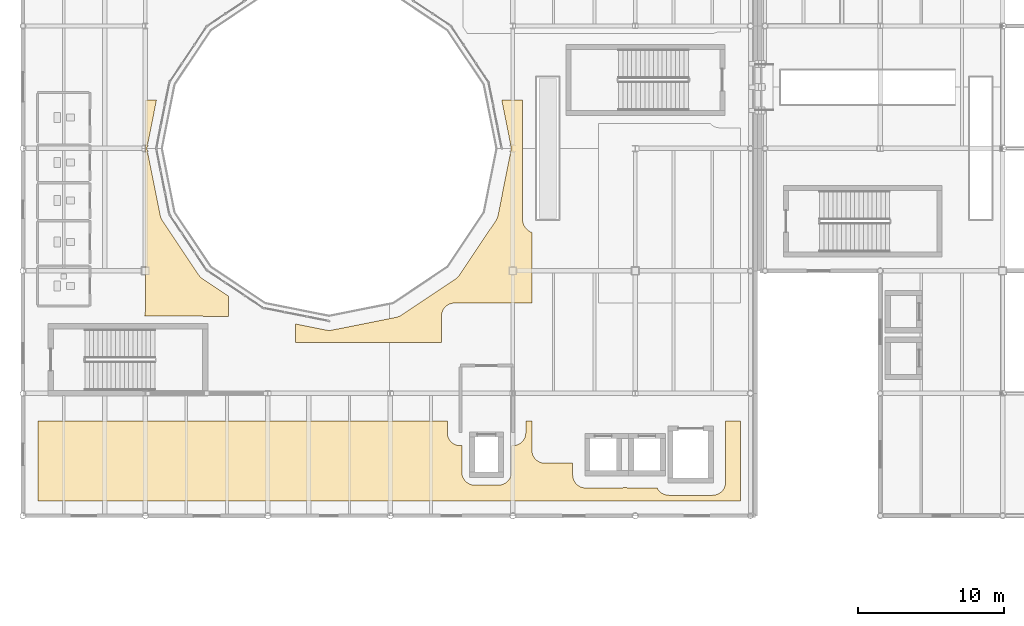
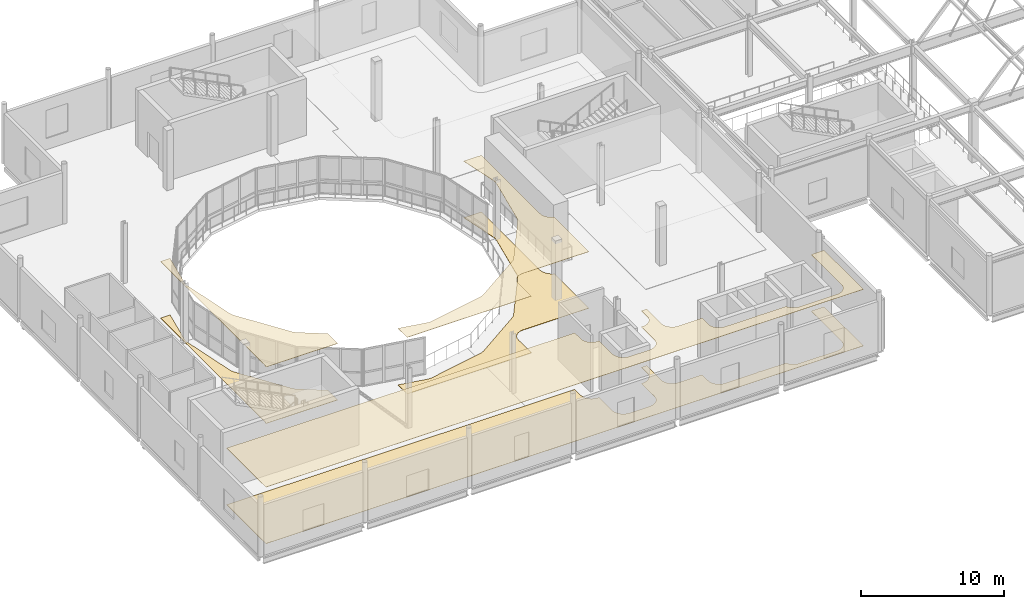
# One storey, part 87 of 103: 6 coverings.
"""IFC4 building model written with IfcOpenShell, lengths in metres."""

from ifc_helpers import new_model, si_unit, direction, frame, origin, place, context, subcontext, project, spatial, polyline, outline, extrude, material, layer, layer_set, type_object, element, save


model = new_model("IFC4")

# Units and contexts
model_context = context("Model", 3, precision=1e-05, world=origin(), true_north=direction((0.0, 1.0)))
body_context = subcontext(model_context, "Body", "Model", "MODEL_VIEW")
ifc_project = project(units=[si_unit("LENGTHUNIT", "METRE"), si_unit("AREAUNIT", "SQUARE_METRE"), si_unit("VOLUMEUNIT", "CUBIC_METRE"), si_unit("PLANEANGLEUNIT", "RADIAN"), si_unit("MASSUNIT", "GRAM", prefix="KILO"), si_unit("THERMODYNAMICTEMPERATUREUNIT", "KELVIN")], contexts=[model_context])

# Site, building, storey
site_placement = place(None, origin())
site = spatial("IfcSite", under=ifc_project, at=site_placement, CompositionType="ELEMENT")
building_placement = place(site_placement, origin())
building = spatial("IfcBuilding", under=site, at=building_placement, Name="Lustrewick Department Store", CompositionType="ELEMENT")
storey_placement = place(building_placement, frame((0.0, 0.0, 16.5)))
storey = spatial("IfcBuildingStorey", under=building, at=storey_placement, Name="L04", CompositionType="ELEMENT", Elevation=16.5)

# Coverings
ifc_material_1 = material(Name="Perforated mineral-fibre acoustic ceiling board", Category="gypsum")
ifc_layer_1 = layer(ifc_material_1, 0.02490234375, Name="Perforated mineral-fibre acoustic ceiling board")
ifc_layer_set_1 = layer_set([ifc_layer_1], Name="Perforated mineral-fibre acoustic ceiling board")
covering_type_1 = type_object("IfcCoveringType", Name="COV-CEIL", PredefinedType="CEILING", material=ifc_layer_set_1)
covering_1_placement = place(storey_placement, frame((0.0, 0.0, 4.820068359375)))
element("IfcCovering", 1, at=covering_1_placement, inside=storey, type_object=covering_type_1, Name="L04 V1 Retail Merchandise Gallery 1 Acoustic Ceiling", PredefinedType="CEILING", context=body_context, shape_type="SweptSolid", body=[
    extrude(outline(polyline([(9.419921875, 48.510009765625), (9.419921875, 43.02001953125), (57.6298828125, 43.02001953125), (57.6298828125, 48.510009765625), (56.590087890625, 48.510009765625), (56.590087890625, 44.297119140625), (56.585693359375, 44.21240234375), (56.5732421875, 44.12841796875), (56.572509765625, 44.125), (56.56884765625, 44.107421875), (56.568115234375, 44.104248046875), (56.54541015625, 44.021484375), (56.5146484375, 43.94140625), (56.513427734375, 43.938720703125), (56.51220703125, 43.936279296875), (56.47900390625, 43.869384765625), (56.476806640625, 43.865478515625), (56.439208984375, 43.80419921875), (56.396484375, 43.74609375), (56.392822265625, 43.741455078125), (56.329345703125, 43.670654296875), (56.258544921875, 43.607177734375), (56.25390625, 43.603515625), (56.19580078125, 43.560791015625), (56.134521484375, 43.523193359375), (56.130615234375, 43.52099609375), (56.063720703125, 43.48779296875), (56.061279296875, 43.486572265625), (56.05859375, 43.4853515625), (55.978515625, 43.45458984375), (55.895751953125, 43.431884765625), (55.892578125, 43.43115234375), (55.875, 43.427490234375), (55.87158203125, 43.4267578125), (55.78759765625, 43.414306640625), (55.702880859375, 43.409912109375), (52.697021484375, 43.409912109375), (52.6123046875, 43.414306640625), (52.5283203125, 43.4267578125), (52.52490234375, 43.427490234375), (52.507568359375, 43.43115234375), (52.50439453125, 43.431884765625), (52.42138671875, 43.45458984375), (52.341552734375, 43.4853515625), (52.3388671875, 43.486572265625), (52.336181640625, 43.48779296875), (52.26953125, 43.52099609375), (52.265625, 43.523193359375), (52.2041015625, 43.560791015625), (52.14599609375, 43.603515625), (52.141357421875, 43.607177734375), (52.070556640625, 43.670654296875), (52.007080078125, 43.741455078125), (52.00341796875, 43.74609375), (51.9609375, 43.80419921875), (51.92333984375, 43.865478515625), (51.921142578125, 43.869384765625), (51.90087890625, 43.909912109375), (49.9970703125, 43.909912109375), (49.912353515625, 43.914306640625), (49.828369140625, 43.9267578125), (49.824951171875, 43.927490234375), (49.8076171875, 43.93115234375), (49.80419921875, 43.931884765625), (49.721435546875, 43.95458984375), (49.699951171875, 43.962890625), (49.678466796875, 43.95458984375), (49.595703125, 43.931884765625), (49.592529296875, 43.93115234375), (49.574951171875, 43.927490234375), (49.571533203125, 43.9267578125), (49.48779296875, 43.914306640625), (49.403076171875, 43.909912109375), (46.9970703125, 43.909912109375), (46.912353515625, 43.914306640625), (46.828369140625, 43.9267578125), (46.824951171875, 43.927490234375), (46.8076171875, 43.93115234375), (46.80419921875, 43.931884765625), (46.721435546875, 43.95458984375), (46.6416015625, 43.9853515625), (46.638916015625, 43.986572265625), (46.63623046875, 43.98779296875), (46.569580078125, 44.02099609375), (46.565673828125, 44.023193359375), (46.504150390625, 44.060791015625), (46.446044921875, 44.103515625), (46.44140625, 44.107177734375), (46.37060546875, 44.170654296875), (46.30712890625, 44.241455078125), (46.303466796875, 44.24609375), (46.260986328125, 44.30419921875), (46.223388671875, 44.365478515625), (46.22119140625, 44.369384765625), (46.187744140625, 44.436279296875), (46.185302734375, 44.44140625), (46.154541015625, 44.521484375), (46.1318359375, 44.604248046875), (46.131103515625, 44.607421875), (46.12744140625, 44.625), (46.126708984375, 44.62841796875), (46.1142578125, 44.71240234375), (46.110107421875, 44.797119140625), (46.110107421875, 45.610107421875), (44.197021484375, 45.610107421875), (44.1123046875, 45.6142578125), (44.0283203125, 45.626708984375), (44.02490234375, 45.62744140625), (44.007568359375, 45.631103515625), (44.00439453125, 45.6318359375), (43.92138671875, 45.654541015625), (43.841552734375, 45.685302734375), (43.8388671875, 45.6865234375), (43.836181640625, 45.687744140625), (43.76953125, 45.72119140625), (43.765625, 45.723388671875), (43.7041015625, 45.760986328125), (43.64599609375, 45.803466796875), (43.641357421875, 45.80712890625), (43.570556640625, 45.87060546875), (43.507080078125, 45.94140625), (43.50341796875, 45.946044921875), (43.4609375, 46.004150390625), (43.42333984375, 46.065673828125), (43.421142578125, 46.069580078125), (43.3876953125, 46.13623046875), (43.385498046875, 46.1416015625), (43.3544921875, 46.221435546875), (43.331787109375, 46.30419921875), (43.3310546875, 46.3076171875), (43.327392578125, 46.324951171875), (43.32666015625, 46.328369140625), (43.314208984375, 46.412353515625), (43.31005859375, 46.4970703125), (43.31005859375, 48.510009765625), (42.889892578125, 48.510009765625), (42.889892578125, 47.697021484375), (42.8857421875, 47.6123046875), (42.873291015625, 47.5283203125), (42.87255859375, 47.52490234375), (42.868896484375, 47.507568359375), (42.8681640625, 47.50439453125), (42.845458984375, 47.42138671875), (42.814697265625, 47.341552734375), (42.8134765625, 47.3388671875), (42.812255859375, 47.336181640625), (42.77880859375, 47.26953125), (42.776611328125, 47.265625), (42.739013671875, 47.2041015625), (42.696533203125, 47.14599609375), (42.69287109375, 47.141357421875), (42.62939453125, 47.070556640625), (42.55859375, 47.007080078125), (42.553955078125, 47.00341796875), (42.495849609375, 46.9609375), (42.434326171875, 46.92333984375), (42.430419921875, 46.921142578125), (42.36376953125, 46.8876953125), (42.3583984375, 46.885498046875), (42.278564453125, 46.8544921875), (42.19580078125, 46.831787109375), (42.1923828125, 46.8310546875), (42.175048828125, 46.827392578125), (42.171630859375, 46.82666015625), (42.087646484375, 46.814208984375), (42.0029296875, 46.81005859375), (41.89990234375, 46.81005859375), (41.89990234375, 44.9990234375), (41.89892578125, 44.95703125), (41.898681640625, 44.951904296875), (41.889404296875, 44.86279296875), (41.888427734375, 44.85693359375), (41.87109375, 44.774169921875), (41.869873046875, 44.769287109375), (41.8583984375, 44.72998046875), (41.857177734375, 44.7255859375), (41.830322265625, 44.652587890625), (41.797119140625, 44.582275390625), (41.794921875, 44.578125), (41.776611328125, 44.545166015625), (41.7744140625, 44.54150390625), (41.74267578125, 44.491455078125), (41.739501953125, 44.4873046875), (41.692138671875, 44.424560546875), (41.638916015625, 44.3662109375), (41.6337890625, 44.361083984375), (41.575439453125, 44.307861328125), (41.5126953125, 44.260498046875), (41.508544921875, 44.25732421875), (41.45849609375, 44.2255859375), (41.454833984375, 44.223388671875), (41.421875, 44.205078125), (41.417724609375, 44.202880859375), (41.347412109375, 44.169677734375), (41.2744140625, 44.142822265625), (41.27001953125, 44.1416015625), (41.230712890625, 44.130126953125), (41.225830078125, 44.12890625), (41.14306640625, 44.111572265625), (41.13720703125, 44.110595703125), (41.048095703125, 44.101318359375), (41.04296875, 44.10107421875), (41.0009765625, 44.10009765625), (39.39892578125, 44.10009765625), (39.357177734375, 44.10107421875), (39.351806640625, 44.101318359375), (39.262939453125, 44.110595703125), (39.2568359375, 44.111572265625), (39.174072265625, 44.12890625), (39.169189453125, 44.130126953125), (39.130126953125, 44.1416015625), (39.12548828125, 44.142822265625), (39.052490234375, 44.169677734375), (38.982177734375, 44.202880859375), (38.97802734375, 44.205078125), (38.9453125, 44.223388671875), (38.94140625, 44.2255859375), (38.8916015625, 44.25732421875), (38.88720703125, 44.260498046875), (38.824462890625, 44.307861328125), (38.766357421875, 44.361083984375), (38.760986328125, 44.3662109375), (38.7080078125, 44.424560546875), (38.660400390625, 44.4873046875), (38.657470703125, 44.491455078125), (38.62548828125, 44.54150390625), (38.623291015625, 44.545166015625), (38.60498046875, 44.578125), (38.602783203125, 44.582275390625), (38.569580078125, 44.652587890625), (38.54296875, 44.7255859375), (38.54150390625, 44.72998046875), (38.530029296875, 44.769287109375), (38.52880859375, 44.774169921875), (38.511474609375, 44.85693359375), (38.510498046875, 44.86279296875), (38.501220703125, 44.951904296875), (38.5009765625, 44.95703125), (38.5, 44.9990234375), (38.5, 46.81005859375), (38.39697265625, 46.81005859375), (38.312255859375, 46.814208984375), (38.228515625, 46.82666015625), (38.22509765625, 46.827392578125), (38.20751953125, 46.8310546875), (38.204345703125, 46.831787109375), (38.12158203125, 46.8544921875), (38.04150390625, 46.885498046875), (38.036376953125, 46.8876953125), (37.969482421875, 46.921142578125), (37.965576171875, 46.92333984375), (37.904052734375, 46.9609375), (37.845947265625, 47.00341796875), (37.84130859375, 47.007080078125), (37.7705078125, 47.070556640625), (37.70703125, 47.141357421875), (37.70361328125, 47.14599609375), (37.660888671875, 47.2041015625), (37.623291015625, 47.265625), (37.62109375, 47.26953125), (37.587890625, 47.336181640625), (37.586669921875, 47.3388671875), (37.58544921875, 47.341552734375), (37.554443359375, 47.42138671875), (37.53173828125, 47.50439453125), (37.531005859375, 47.507568359375), (37.52734375, 47.52490234375), (37.526611328125, 47.5283203125), (37.51416015625, 47.6123046875), (37.510009765625, 47.697021484375), (37.510009765625, 48.510009765625), (9.419921875, 48.510009765625)])), origin(), (0.0, 0.0, 1.0), 0.02490234375),
])
covering_2_placement = place(storey_placement, frame((0.0, 0.0, 4.820068359375)))
element("IfcCovering", 2, at=covering_2_placement, inside=storey, type_object=covering_type_1, Name="L04 V1 Retail Merchandise Gallery 3 Acoustic Ceiling", PredefinedType="CEILING", context=body_context, shape_type="SweptSolid", body=[
    extrude(outline(polyline([(40.9912109375, 62.625732421875), (40.982177734375, 62.5849609375), (40.9765625, 62.56298828125), (40.95263671875, 62.48388671875), (40.944580078125, 62.4619140625), (40.913818359375, 62.38720703125), (40.903564453125, 62.36572265625), (40.86376953125, 62.29150390625), (40.852294921875, 62.272216796875), (40.830810546875, 62.23828125), (38.3583984375, 58.5380859375), (38.335205078125, 58.5048828125), (38.321533203125, 58.48681640625), (38.267578125, 58.421142578125), (38.251953125, 58.40380859375), (38.1962890625, 58.34814453125), (38.1787109375, 58.332275390625), (38.11328125, 58.2783203125), (38.094970703125, 58.264892578125), (38.061767578125, 58.241455078125), (34.36181640625, 55.769287109375), (34.327880859375, 55.747802734375), (34.30859375, 55.736083984375), (34.234375, 55.6962890625), (34.212890625, 55.686279296875), (34.137939453125, 55.6552734375), (34.115966796875, 55.6474609375), (34.037109375, 55.623291015625), (34.01513671875, 55.617919921875), (33.974365234375, 55.608642578125), (29.609619140625, 54.740478515625), (29.56591796875, 54.73291015625), (29.54345703125, 54.729736328125), (29.46630859375, 54.72216796875), (29.44287109375, 54.720947265625), (29.357177734375, 54.720947265625), (29.333740234375, 54.72216796875), (29.256591796875, 54.729736328125), (29.234130859375, 54.73291015625), (29.1904296875, 54.740478515625), (27.090087890625, 55.158203125), (27.090087890625, 53.889892578125), (37.110107421875, 53.889892578125), (37.110107421875, 55.702880859375), (37.1142578125, 55.78759765625), (37.126708984375, 55.87158203125), (37.12744140625, 55.875), (37.131103515625, 55.892578125), (37.1318359375, 55.895751953125), (37.154541015625, 55.978515625), (37.185302734375, 56.05859375), (37.187744140625, 56.063720703125), (37.22119140625, 56.130615234375), (37.223388671875, 56.134521484375), (37.260986328125, 56.19580078125), (37.303466796875, 56.25390625), (37.30712890625, 56.258544921875), (37.37060546875, 56.329345703125), (37.44140625, 56.392822265625), (37.446044921875, 56.396484375), (37.504150390625, 56.439208984375), (37.565673828125, 56.476806640625), (37.569580078125, 56.47900390625), (37.63623046875, 56.51220703125), (37.638916015625, 56.513427734375), (37.6416015625, 56.5146484375), (37.721435546875, 56.54541015625), (37.80419921875, 56.568115234375), (37.8076171875, 56.56884765625), (37.824951171875, 56.572509765625), (37.828369140625, 56.5732421875), (37.912353515625, 56.585693359375), (37.9970703125, 56.590087890625), (42.403076171875, 56.590087890625), (42.48779296875, 56.585693359375), (42.526611328125, 56.580078125), (43.31005859375, 56.580078125), (43.31005859375, 61.43115234375), (43.234619140625, 61.46240234375), (43.22216796875, 61.468505859375), (43.15185546875, 61.506103515625), (43.139892578125, 61.51318359375), (43.07080078125, 61.5595703125), (43.06005859375, 61.567626953125), (42.997802734375, 61.61865234375), (42.987548828125, 61.6279296875), (42.927978515625, 61.6875), (42.918701171875, 61.697998046875), (42.86767578125, 61.760009765625), (42.859619140625, 61.77099609375), (42.813232421875, 61.83984375), (42.80615234375, 61.851806640625), (42.768310546875, 61.922119140625), (42.762451171875, 61.9345703125), (42.72900390625, 62.015380859375), (42.724365234375, 62.028564453125), (42.70166015625, 62.103515625), (42.6982421875, 62.116943359375), (42.68115234375, 62.20263671875), (42.67919921875, 62.21630859375), (42.671630859375, 62.29345703125), (42.671142578125, 62.30615234375), (42.669921875, 62.34912109375), (42.669921875, 70.510009765625), (41.242919921875, 70.510009765625), (41.859619140625, 67.40966796875), (41.866943359375, 67.36572265625), (41.8701171875, 67.343505859375), (41.877685546875, 67.266357421875), (41.87890625, 67.242919921875), (41.87890625, 67.1572265625), (41.877685546875, 67.1337890625), (41.8701171875, 67.056396484375), (41.866943359375, 67.0341796875), (41.859619140625, 66.990478515625), (40.9912109375, 62.625732421875)])), origin(), (0.0, 0.0, 1.0), 0.02490234375),
])
covering_3_placement = place(storey_placement, frame((0.0, 0.0, 4.820068359375)))
element("IfcCovering", 3, at=covering_3_placement, inside=storey, type_object=covering_type_1, Name="L04 V1 Retail Merchandise Gallery 4 Acoustic Ceiling", PredefinedType="CEILING", context=body_context, shape_type="SweptSolid", body=[
    extrude(outline(polyline([(20.702880859375, 55.68994140625), (20.78759765625, 55.685791015625), (20.82666015625, 55.679931640625), (22.510009765625, 55.679931640625), (22.510009765625, 57.0576171875), (20.73828125, 58.241455078125), (20.705078125, 58.264892578125), (20.686767578125, 58.2783203125), (20.62109375, 58.332275390625), (20.603759765625, 58.34814453125), (20.548095703125, 58.40380859375), (20.5322265625, 58.421142578125), (20.478515625, 58.48681640625), (20.46484375, 58.5048828125), (20.44140625, 58.5380859375), (17.96923828125, 62.23828125), (17.94775390625, 62.272216796875), (17.936279296875, 62.29150390625), (17.896484375, 62.36572265625), (17.88623046875, 62.38720703125), (17.855224609375, 62.4619140625), (17.847412109375, 62.48388671875), (17.823486328125, 62.56298828125), (17.81787109375, 62.5849609375), (17.80859375, 62.625732421875), (16.9404296875, 66.990478515625), (16.93310546875, 67.0341796875), (16.9296875, 67.056396484375), (16.922119140625, 67.1337890625), (16.9208984375, 67.1572265625), (16.9208984375, 67.242919921875), (16.922119140625, 67.266357421875), (16.9296875, 67.343505859375), (16.93310546875, 67.36572265625), (16.9404296875, 67.40966796875), (17.55712890625, 70.510009765625), (16.7900390625, 70.510009765625), (16.7900390625, 55.9970703125), (16.785888671875, 55.912353515625), (16.773193359375, 55.828369140625), (16.772705078125, 55.824951171875), (16.768798828125, 55.8076171875), (16.768310546875, 55.80419921875), (16.74560546875, 55.721435546875), (16.7333984375, 55.68994140625), (20.702880859375, 55.68994140625)])), origin(), (0.0, 0.0, 1.0), 0.02490234375),
])
ifc_material_2 = material(Name="Polished terrazzo and porcelain floor finish", Category="masonry")
ifc_layer_2 = layer(ifc_material_2, 0.02001953125, Name="Polished terrazzo and porcelain floor finish")
ifc_layer_set_2 = layer_set([ifc_layer_2], Name="Polished terrazzo and porcelain floor finish")
covering_type_2 = type_object("IfcCoveringType", Name="COV-FLR", PredefinedType="FLOORING", material=ifc_layer_set_2)
covering_4_placement = place(storey_placement, origin())
element("IfcCovering", 4, at=covering_4_placement, inside=storey, type_object=covering_type_2, Name="L04 V1 Retail Merchandise Gallery 1 Terrazzo Flooring", PredefinedType="FLOORING", context=body_context, shape_type="SweptSolid", body=[
    extrude(outline(polyline([(9.419921875, 48.510009765625), (9.419921875, 43.02001953125), (57.6298828125, 43.02001953125), (57.6298828125, 48.510009765625), (56.590087890625, 48.510009765625), (56.590087890625, 44.297119140625), (56.585693359375, 44.21240234375), (56.5732421875, 44.12841796875), (56.572509765625, 44.125), (56.56884765625, 44.107421875), (56.568115234375, 44.104248046875), (56.54541015625, 44.021484375), (56.5146484375, 43.94140625), (56.513427734375, 43.938720703125), (56.51220703125, 43.936279296875), (56.47900390625, 43.869384765625), (56.476806640625, 43.865478515625), (56.439208984375, 43.80419921875), (56.396484375, 43.74609375), (56.392822265625, 43.741455078125), (56.329345703125, 43.670654296875), (56.258544921875, 43.607177734375), (56.25390625, 43.603515625), (56.19580078125, 43.560791015625), (56.134521484375, 43.523193359375), (56.130615234375, 43.52099609375), (56.063720703125, 43.48779296875), (56.061279296875, 43.486572265625), (56.05859375, 43.4853515625), (55.978515625, 43.45458984375), (55.895751953125, 43.431884765625), (55.892578125, 43.43115234375), (55.875, 43.427490234375), (55.87158203125, 43.4267578125), (55.78759765625, 43.414306640625), (55.702880859375, 43.409912109375), (52.697021484375, 43.409912109375), (52.6123046875, 43.414306640625), (52.5283203125, 43.4267578125), (52.52490234375, 43.427490234375), (52.507568359375, 43.43115234375), (52.50439453125, 43.431884765625), (52.42138671875, 43.45458984375), (52.341552734375, 43.4853515625), (52.3388671875, 43.486572265625), (52.336181640625, 43.48779296875), (52.26953125, 43.52099609375), (52.265625, 43.523193359375), (52.2041015625, 43.560791015625), (52.14599609375, 43.603515625), (52.141357421875, 43.607177734375), (52.070556640625, 43.670654296875), (52.007080078125, 43.741455078125), (52.00341796875, 43.74609375), (51.9609375, 43.80419921875), (51.92333984375, 43.865478515625), (51.921142578125, 43.869384765625), (51.90087890625, 43.909912109375), (49.9970703125, 43.909912109375), (49.912353515625, 43.914306640625), (49.828369140625, 43.9267578125), (49.824951171875, 43.927490234375), (49.8076171875, 43.93115234375), (49.80419921875, 43.931884765625), (49.721435546875, 43.95458984375), (49.699951171875, 43.962890625), (49.678466796875, 43.95458984375), (49.595703125, 43.931884765625), (49.592529296875, 43.93115234375), (49.574951171875, 43.927490234375), (49.571533203125, 43.9267578125), (49.48779296875, 43.914306640625), (49.403076171875, 43.909912109375), (46.9970703125, 43.909912109375), (46.912353515625, 43.914306640625), (46.828369140625, 43.9267578125), (46.824951171875, 43.927490234375), (46.8076171875, 43.93115234375), (46.80419921875, 43.931884765625), (46.721435546875, 43.95458984375), (46.6416015625, 43.9853515625), (46.638916015625, 43.986572265625), (46.63623046875, 43.98779296875), (46.569580078125, 44.02099609375), (46.565673828125, 44.023193359375), (46.504150390625, 44.060791015625), (46.446044921875, 44.103515625), (46.44140625, 44.107177734375), (46.37060546875, 44.170654296875), (46.30712890625, 44.241455078125), (46.303466796875, 44.24609375), (46.260986328125, 44.30419921875), (46.223388671875, 44.365478515625), (46.22119140625, 44.369384765625), (46.187744140625, 44.436279296875), (46.185302734375, 44.44140625), (46.154541015625, 44.521484375), (46.1318359375, 44.604248046875), (46.131103515625, 44.607421875), (46.12744140625, 44.625), (46.126708984375, 44.62841796875), (46.1142578125, 44.71240234375), (46.110107421875, 44.797119140625), (46.110107421875, 45.610107421875), (44.197021484375, 45.610107421875), (44.1123046875, 45.6142578125), (44.0283203125, 45.626708984375), (44.02490234375, 45.62744140625), (44.007568359375, 45.631103515625), (44.00439453125, 45.6318359375), (43.92138671875, 45.654541015625), (43.841552734375, 45.685302734375), (43.8388671875, 45.6865234375), (43.836181640625, 45.687744140625), (43.76953125, 45.72119140625), (43.765625, 45.723388671875), (43.7041015625, 45.760986328125), (43.64599609375, 45.803466796875), (43.641357421875, 45.80712890625), (43.570556640625, 45.87060546875), (43.507080078125, 45.94140625), (43.50341796875, 45.946044921875), (43.4609375, 46.004150390625), (43.42333984375, 46.065673828125), (43.421142578125, 46.069580078125), (43.3876953125, 46.13623046875), (43.385498046875, 46.1416015625), (43.3544921875, 46.221435546875), (43.331787109375, 46.30419921875), (43.3310546875, 46.3076171875), (43.327392578125, 46.324951171875), (43.32666015625, 46.328369140625), (43.314208984375, 46.412353515625), (43.31005859375, 46.4970703125), (43.31005859375, 48.510009765625), (42.889892578125, 48.510009765625), (42.889892578125, 47.697021484375), (42.8857421875, 47.6123046875), (42.873291015625, 47.5283203125), (42.87255859375, 47.52490234375), (42.868896484375, 47.507568359375), (42.8681640625, 47.50439453125), (42.845458984375, 47.42138671875), (42.814697265625, 47.341552734375), (42.8134765625, 47.3388671875), (42.812255859375, 47.336181640625), (42.77880859375, 47.26953125), (42.776611328125, 47.265625), (42.739013671875, 47.2041015625), (42.696533203125, 47.14599609375), (42.69287109375, 47.141357421875), (42.62939453125, 47.070556640625), (42.55859375, 47.007080078125), (42.553955078125, 47.00341796875), (42.495849609375, 46.9609375), (42.434326171875, 46.92333984375), (42.430419921875, 46.921142578125), (42.36376953125, 46.8876953125), (42.3583984375, 46.885498046875), (42.278564453125, 46.8544921875), (42.19580078125, 46.831787109375), (42.1923828125, 46.8310546875), (42.175048828125, 46.827392578125), (42.171630859375, 46.82666015625), (42.087646484375, 46.814208984375), (42.0029296875, 46.81005859375), (41.89990234375, 46.81005859375), (41.89990234375, 44.9990234375), (41.89892578125, 44.95703125), (41.898681640625, 44.951904296875), (41.889404296875, 44.86279296875), (41.888427734375, 44.85693359375), (41.87109375, 44.774169921875), (41.869873046875, 44.769287109375), (41.8583984375, 44.72998046875), (41.857177734375, 44.7255859375), (41.830322265625, 44.652587890625), (41.797119140625, 44.582275390625), (41.794921875, 44.578125), (41.776611328125, 44.545166015625), (41.7744140625, 44.54150390625), (41.74267578125, 44.491455078125), (41.739501953125, 44.4873046875), (41.692138671875, 44.424560546875), (41.638916015625, 44.3662109375), (41.6337890625, 44.361083984375), (41.575439453125, 44.307861328125), (41.5126953125, 44.260498046875), (41.508544921875, 44.25732421875), (41.45849609375, 44.2255859375), (41.454833984375, 44.223388671875), (41.421875, 44.205078125), (41.417724609375, 44.202880859375), (41.347412109375, 44.169677734375), (41.2744140625, 44.142822265625), (41.27001953125, 44.1416015625), (41.230712890625, 44.130126953125), (41.225830078125, 44.12890625), (41.14306640625, 44.111572265625), (41.13720703125, 44.110595703125), (41.048095703125, 44.101318359375), (41.04296875, 44.10107421875), (41.0009765625, 44.10009765625), (39.39892578125, 44.10009765625), (39.357177734375, 44.10107421875), (39.351806640625, 44.101318359375), (39.262939453125, 44.110595703125), (39.2568359375, 44.111572265625), (39.174072265625, 44.12890625), (39.169189453125, 44.130126953125), (39.130126953125, 44.1416015625), (39.12548828125, 44.142822265625), (39.052490234375, 44.169677734375), (38.982177734375, 44.202880859375), (38.97802734375, 44.205078125), (38.9453125, 44.223388671875), (38.94140625, 44.2255859375), (38.8916015625, 44.25732421875), (38.88720703125, 44.260498046875), (38.824462890625, 44.307861328125), (38.766357421875, 44.361083984375), (38.760986328125, 44.3662109375), (38.7080078125, 44.424560546875), (38.660400390625, 44.4873046875), (38.657470703125, 44.491455078125), (38.62548828125, 44.54150390625), (38.623291015625, 44.545166015625), (38.60498046875, 44.578125), (38.602783203125, 44.582275390625), (38.569580078125, 44.652587890625), (38.54296875, 44.7255859375), (38.54150390625, 44.72998046875), (38.530029296875, 44.769287109375), (38.52880859375, 44.774169921875), (38.511474609375, 44.85693359375), (38.510498046875, 44.86279296875), (38.501220703125, 44.951904296875), (38.5009765625, 44.95703125), (38.5, 44.9990234375), (38.5, 46.81005859375), (38.39697265625, 46.81005859375), (38.312255859375, 46.814208984375), (38.228515625, 46.82666015625), (38.22509765625, 46.827392578125), (38.20751953125, 46.8310546875), (38.204345703125, 46.831787109375), (38.12158203125, 46.8544921875), (38.04150390625, 46.885498046875), (38.036376953125, 46.8876953125), (37.969482421875, 46.921142578125), (37.965576171875, 46.92333984375), (37.904052734375, 46.9609375), (37.845947265625, 47.00341796875), (37.84130859375, 47.007080078125), (37.7705078125, 47.070556640625), (37.70703125, 47.141357421875), (37.70361328125, 47.14599609375), (37.660888671875, 47.2041015625), (37.623291015625, 47.265625), (37.62109375, 47.26953125), (37.587890625, 47.336181640625), (37.586669921875, 47.3388671875), (37.58544921875, 47.341552734375), (37.554443359375, 47.42138671875), (37.53173828125, 47.50439453125), (37.531005859375, 47.507568359375), (37.52734375, 47.52490234375), (37.526611328125, 47.5283203125), (37.51416015625, 47.6123046875), (37.510009765625, 47.697021484375), (37.510009765625, 48.510009765625), (9.419921875, 48.510009765625)])), origin(), (0.0, 0.0, 1.0), 0.02001953125),
])
covering_5_placement = place(storey_placement, origin())
element("IfcCovering", 5, at=covering_5_placement, inside=storey, type_object=covering_type_2, Name="L04 V1 Retail Merchandise Gallery 3 Terrazzo Flooring", PredefinedType="FLOORING", context=body_context, shape_type="SweptSolid", body=[
    extrude(outline(polyline([(40.9912109375, 62.625732421875), (40.982177734375, 62.5849609375), (40.9765625, 62.56298828125), (40.95263671875, 62.48388671875), (40.944580078125, 62.4619140625), (40.913818359375, 62.38720703125), (40.903564453125, 62.36572265625), (40.86376953125, 62.29150390625), (40.852294921875, 62.272216796875), (40.830810546875, 62.23828125), (38.3583984375, 58.5380859375), (38.335205078125, 58.5048828125), (38.321533203125, 58.48681640625), (38.267578125, 58.421142578125), (38.251953125, 58.40380859375), (38.1962890625, 58.34814453125), (38.1787109375, 58.332275390625), (38.11328125, 58.2783203125), (38.094970703125, 58.264892578125), (38.061767578125, 58.241455078125), (34.36181640625, 55.769287109375), (34.327880859375, 55.747802734375), (34.30859375, 55.736083984375), (34.234375, 55.6962890625), (34.212890625, 55.686279296875), (34.137939453125, 55.6552734375), (34.115966796875, 55.6474609375), (34.037109375, 55.623291015625), (34.01513671875, 55.617919921875), (33.974365234375, 55.608642578125), (29.609619140625, 54.740478515625), (29.56591796875, 54.73291015625), (29.54345703125, 54.729736328125), (29.46630859375, 54.72216796875), (29.44287109375, 54.720947265625), (29.357177734375, 54.720947265625), (29.333740234375, 54.72216796875), (29.256591796875, 54.729736328125), (29.234130859375, 54.73291015625), (29.1904296875, 54.740478515625), (27.090087890625, 55.158203125), (27.090087890625, 53.889892578125), (37.110107421875, 53.889892578125), (37.110107421875, 55.702880859375), (37.1142578125, 55.78759765625), (37.126708984375, 55.87158203125), (37.12744140625, 55.875), (37.131103515625, 55.892578125), (37.1318359375, 55.895751953125), (37.154541015625, 55.978515625), (37.185302734375, 56.05859375), (37.187744140625, 56.063720703125), (37.22119140625, 56.130615234375), (37.223388671875, 56.134521484375), (37.260986328125, 56.19580078125), (37.303466796875, 56.25390625), (37.30712890625, 56.258544921875), (37.37060546875, 56.329345703125), (37.44140625, 56.392822265625), (37.446044921875, 56.396484375), (37.504150390625, 56.439208984375), (37.565673828125, 56.476806640625), (37.569580078125, 56.47900390625), (37.63623046875, 56.51220703125), (37.638916015625, 56.513427734375), (37.6416015625, 56.5146484375), (37.721435546875, 56.54541015625), (37.80419921875, 56.568115234375), (37.8076171875, 56.56884765625), (37.824951171875, 56.572509765625), (37.828369140625, 56.5732421875), (37.912353515625, 56.585693359375), (37.9970703125, 56.590087890625), (42.403076171875, 56.590087890625), (42.48779296875, 56.585693359375), (42.526611328125, 56.580078125), (43.31005859375, 56.580078125), (43.31005859375, 61.43115234375), (43.234619140625, 61.46240234375), (43.22216796875, 61.468505859375), (43.15185546875, 61.506103515625), (43.139892578125, 61.51318359375), (43.07080078125, 61.5595703125), (43.06005859375, 61.567626953125), (42.997802734375, 61.61865234375), (42.987548828125, 61.6279296875), (42.927978515625, 61.6875), (42.918701171875, 61.697998046875), (42.86767578125, 61.760009765625), (42.859619140625, 61.77099609375), (42.813232421875, 61.83984375), (42.80615234375, 61.851806640625), (42.768310546875, 61.922119140625), (42.762451171875, 61.9345703125), (42.72900390625, 62.015380859375), (42.724365234375, 62.028564453125), (42.70166015625, 62.103515625), (42.6982421875, 62.116943359375), (42.68115234375, 62.20263671875), (42.67919921875, 62.21630859375), (42.671630859375, 62.29345703125), (42.671142578125, 62.30615234375), (42.669921875, 62.34912109375), (42.669921875, 70.510009765625), (41.242919921875, 70.510009765625), (41.859619140625, 67.40966796875), (41.866943359375, 67.36572265625), (41.8701171875, 67.343505859375), (41.877685546875, 67.266357421875), (41.87890625, 67.242919921875), (41.87890625, 67.1572265625), (41.877685546875, 67.1337890625), (41.8701171875, 67.056396484375), (41.866943359375, 67.0341796875), (41.859619140625, 66.990478515625), (40.9912109375, 62.625732421875)])), origin(), (0.0, 0.0, 1.0), 0.02001953125),
])
covering_6_placement = place(storey_placement, origin())
element("IfcCovering", 6, at=covering_6_placement, inside=storey, type_object=covering_type_2, Name="L04 V1 Retail Merchandise Gallery 4 Terrazzo Flooring", PredefinedType="FLOORING", context=body_context, shape_type="SweptSolid", body=[
    extrude(outline(polyline([(20.702880859375, 55.68994140625), (20.78759765625, 55.685791015625), (20.82666015625, 55.679931640625), (22.510009765625, 55.679931640625), (22.510009765625, 57.0576171875), (20.73828125, 58.241455078125), (20.705078125, 58.264892578125), (20.686767578125, 58.2783203125), (20.62109375, 58.332275390625), (20.603759765625, 58.34814453125), (20.548095703125, 58.40380859375), (20.5322265625, 58.421142578125), (20.478515625, 58.48681640625), (20.46484375, 58.5048828125), (20.44140625, 58.5380859375), (17.96923828125, 62.23828125), (17.94775390625, 62.272216796875), (17.936279296875, 62.29150390625), (17.896484375, 62.36572265625), (17.88623046875, 62.38720703125), (17.855224609375, 62.4619140625), (17.847412109375, 62.48388671875), (17.823486328125, 62.56298828125), (17.81787109375, 62.5849609375), (17.80859375, 62.625732421875), (16.9404296875, 66.990478515625), (16.93310546875, 67.0341796875), (16.9296875, 67.056396484375), (16.922119140625, 67.1337890625), (16.9208984375, 67.1572265625), (16.9208984375, 67.242919921875), (16.922119140625, 67.266357421875), (16.9296875, 67.343505859375), (16.93310546875, 67.36572265625), (16.9404296875, 67.40966796875), (17.55712890625, 70.510009765625), (16.7900390625, 70.510009765625), (16.7900390625, 55.9970703125), (16.785888671875, 55.912353515625), (16.773193359375, 55.828369140625), (16.772705078125, 55.824951171875), (16.768798828125, 55.8076171875), (16.768310546875, 55.80419921875), (16.74560546875, 55.721435546875), (16.7333984375, 55.68994140625), (20.702880859375, 55.68994140625)])), origin(), (0.0, 0.0, 1.0), 0.02001953125),
])

save(model, "model.ifc")
